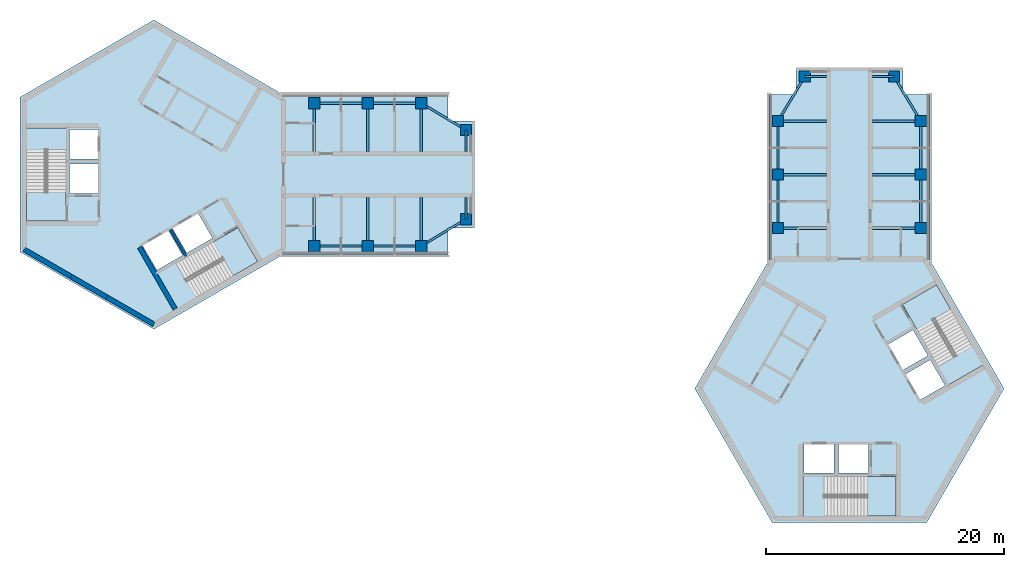
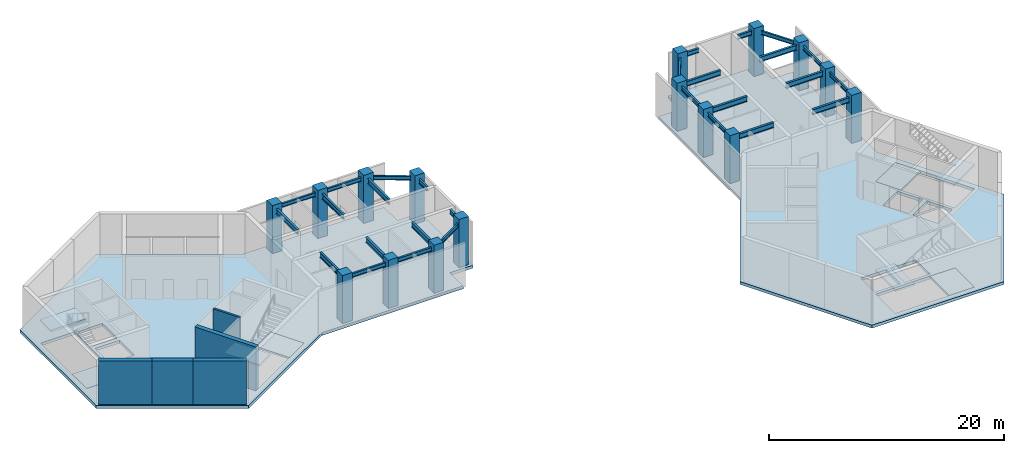
# One storey, part 1 of 8: 28 beams, 16 columns, 10 slabs, 5 walls, 4 elements without a shape of their own.
"""IFC4 building model written with IfcOpenShell, lengths in metres."""

from ifc_helpers import new_model, si_unit, direction, frame, frame_2d, origin, origin_2d, place, context, subcontext, project, spatial, polyline, rectangle, i_section, outline, extrude, material, layer, layer_set, material_profile, profile_set, type_object, element, aggregate, save


model = new_model("IFC4")

# Units and contexts
model_context = context("Model", 3, precision=1e-05, world=origin(), true_north=direction((0.0, 1.0)))
body_context = subcontext(model_context, "Body", "Model", "MODEL_VIEW")
ifc_project = project(units=[si_unit("LENGTHUNIT", "METRE"), si_unit("AREAUNIT", "SQUARE_METRE"), si_unit("VOLUMEUNIT", "CUBIC_METRE"), si_unit("PLANEANGLEUNIT", "RADIAN"), si_unit("MASSUNIT", "GRAM", prefix="KILO")], contexts=[model_context])

# Site, building, storey
site_placement = place(None, origin())
site = spatial("IfcSite", under=ifc_project, at=site_placement, CompositionType="ELEMENT")
building_placement = place(site_placement, origin())
building = spatial("IfcBuilding", under=site, at=building_placement, Name="Upepo Twin Towers", CompositionType="ELEMENT")
storey_placement = place(building_placement, frame((0.0, 0.0, 291.5)))
storey = spatial("IfcBuildingStorey", under=building, at=storey_placement, Name="L71", CompositionType="ELEMENT", Elevation=291.5)

# Columns
ifc_material_1 = material(Name="Concrete C60/75", Category="concrete")
ifc_material_profile_1 = material_profile(ifc_material_1, rectangle(XDim=0.949951171875, YDim=0.949951171875, at=origin_2d()), Name="RC 950x950")
ifc_profile_set_1 = profile_set([ifc_material_profile_1], Name="Concrete C60/75")
column_type = type_object("IfcColumnType", Name="Tower column RC 950x950", PredefinedType="COLUMN", material=ifc_profile_set_1)
for number, where, z_axis, x_axis, name in (
    (1, (13.5, 6.0, 0.0), (0.0, 0.0, 1.0), (1.0, 0.0, 0.0), "T1 column AL135"),
    (2, (13.5, -6.0, 0.0), (0.0, 0.0, 1.0), (1.0, 0.0, 0.0), "T1 column AR135"),
    (3, (18.0, 6.0, 0.0), (0.0, 0.0, 1.0), (1.0, 0.0, 0.0), "T1 column AL180"),
    (4, (18.0, -6.0, 0.0), (0.0, 0.0, 1.0), (1.0, 0.0, 0.0), "T1 column AR180"),
    (5, (22.5, 6.0, 0.0), (0.0, 0.0, 1.0), (1.0, 0.0, 0.0), "T1 column AL225"),
    (6, (22.5, -6.0, 0.0), (0.0, 0.0, 1.0), (1.0, 0.0, 0.0), "T1 column AR225"),
    (7, (26.25, 3.75, 0.0), (0.0, 0.0, 1.0), (1.0, 0.0, 0.0), "T1 column ALN"),
    (8, (26.25, -3.75, 0.0), (0.0, 0.0, 1.0), (1.0, 0.0, 0.0), "T1 column ARN"),
    (9, (52.5, -4.5, 0.0), (0.0, 0.0, 1.0), (1.0, 0.0, 0.0), "T2 column AL135"),
    (10, (64.5, -4.5, 0.0), (0.0, 0.0, 1.0), (1.0, 0.0, 0.0), "T2 column AR135"),
    (11, (52.5, 0.0, 0.0), (0.0, 0.0, 1.0), (1.0, 0.0, 0.0), "T2 column AL180"),
    (12, (64.5, 0.0, 0.0), (0.0, 0.0, 1.0), (1.0, 0.0, 0.0), "T2 column AR180"),
    (13, (52.5, 4.5, 0.0), (0.0, 0.0, 1.0), (1.0, 0.0, 0.0), "T2 column AL225"),
    (14, (64.5, 4.5, 0.0), (0.0, 0.0, 1.0), (1.0, 0.0, 0.0), "T2 column AR225"),
    (15, (54.75, 8.25, 0.0), (0.0, 0.0, 1.0), (1.0, 0.0, 0.0), "T2 column ALN"),
    (16, (62.25, 8.25, 0.0), (0.0, 0.0, 1.0), (1.0, 0.0, 0.0), "T2 column ARN"),
):
    element("IfcColumn", number, at=place(storey_placement, frame(where, z_axis=z_axis, x_axis=x_axis)), inside=storey, type_object=column_type, Name=name, PredefinedType="COLUMN", context=body_context, shape_type="SweptSolid", body=[
        extrude(rectangle(XDim=0.949951171875, YDim=0.949951171875, at=origin_2d()), origin(), (0.0, 0.0, 1.0), 5.0),
    ])

# Beams
ifc_material_2 = material(Name="Steel S355", Category="steel")
ifc_material_profile_2 = material_profile(ifc_material_2, i_section(OverallWidth=0.177978515625, OverallDepth=0.406494140625, WebThickness=0.0078125, FlangeThickness=0.0126953125, FilletRadius=0.01025390625, at=origin_2d()), Name="UB 406x178x60")
ifc_profile_set_2 = profile_set([ifc_material_profile_2], Name="Steel S355")
beam_type_1 = type_object("IfcBeamType", Name="Beam UB 406x178x60", PredefinedType="BEAM", material=ifc_profile_set_2)
for number, where, z_axis, x_axis, name in (
    (17, (13.5, 6.0, 4.3466796875), (1.0, 0.0, 0.0), (0.0, 1.0, 0.0), "T1 edge beam AL 13.5-18.0"),
    (18, (18.0, 6.0, 4.3466796875), (1.0, 0.0, 0.0), (0.0, 1.0, 0.0), "T1 edge beam AL 18.0-22.5"),
):
    element("IfcBeam", number, at=place(storey_placement, frame(where, z_axis=z_axis, x_axis=x_axis)), inside=storey, type_object=beam_type_1, Name=name, PredefinedType="BEAM", context=body_context, shape_type="SweptSolid", body=[
        extrude(i_section(OverallWidth=0.177978515625, OverallDepth=0.406494140625, WebThickness=0.0078125, FlangeThickness=0.0126953125, FilletRadius=0.01025390625, at=origin_2d()), origin(), (0.0, 0.0, 1.0), 4.5),
    ])
beam_1_placement = place(storey_placement, frame((22.5, 6.0, 4.3466796875), z_axis=(0.857492925713, -0.514495755428, 0.0), x_axis=(0.514495755428, 0.857492925713, 0.0)))
element("IfcBeam", 19, at=beam_1_placement, inside=storey, type_object=beam_type_1, Name="T1 nose edge beam AL", PredefinedType="BEAM", context=body_context, shape_type="SweptSolid", body=[
    extrude(i_section(OverallWidth=0.177978515625, OverallDepth=0.406494140625, WebThickness=0.0078125, FlangeThickness=0.0126953125, FilletRadius=0.01025390625, at=origin_2d()), origin(), (0.0, 0.0, 1.0), 4.373291015625),
])
for number, where, z_axis, x_axis, name in (
    (20, (13.5, -6.0, 4.3466796875), (1.0, 0.0, 0.0), (0.0, 1.0, 0.0), "T1 edge beam AR 13.5-18.0"),
    (21, (18.0, -6.0, 4.3466796875), (1.0, 0.0, 0.0), (0.0, 1.0, 0.0), "T1 edge beam AR 18.0-22.5"),
):
    element("IfcBeam", number, at=place(storey_placement, frame(where, z_axis=z_axis, x_axis=x_axis)), inside=storey, type_object=beam_type_1, Name=name, PredefinedType="BEAM", context=body_context, shape_type="SweptSolid", body=[
        extrude(i_section(OverallWidth=0.177978515625, OverallDepth=0.406494140625, WebThickness=0.0078125, FlangeThickness=0.0126953125, FilletRadius=0.01025390625, at=origin_2d()), origin(), (0.0, 0.0, 1.0), 4.5),
    ])
beam_2_placement = place(storey_placement, frame((22.5, -6.0, 4.3466796875), z_axis=(0.857492925713, 0.514495755428, 0.0), x_axis=(-0.514495755428, 0.857492925713, 0.0)))
element("IfcBeam", 22, at=beam_2_placement, inside=storey, type_object=beam_type_1, Name="T1 nose edge beam AR", PredefinedType="BEAM", context=body_context, shape_type="SweptSolid", body=[
    extrude(i_section(OverallWidth=0.177978515625, OverallDepth=0.406494140625, WebThickness=0.0078125, FlangeThickness=0.0126953125, FilletRadius=0.01025390625, at=origin_2d()), origin(), (0.0, 0.0, 1.0), 4.373291015625),
])
for number, where, z_axis, x_axis, name in (
    (23, (52.5, -4.5, 4.3466796875), (0.0, 1.0, 0.0), (-1.0, 0.0, 0.0), "T2 edge beam AL 13.5-18.0"),
    (24, (52.5, 0.0, 4.3466796875), (0.0, 1.0, 0.0), (-1.0, 0.0, 0.0), "T2 edge beam AL 18.0-22.5"),
):
    element("IfcBeam", number, at=place(storey_placement, frame(where, z_axis=z_axis, x_axis=x_axis)), inside=storey, type_object=beam_type_1, Name=name, PredefinedType="BEAM", context=body_context, shape_type="SweptSolid", body=[
        extrude(i_section(OverallWidth=0.177978515625, OverallDepth=0.406494140625, WebThickness=0.0078125, FlangeThickness=0.0126953125, FilletRadius=0.01025390625, at=origin_2d()), origin(), (0.0, 0.0, 1.0), 4.5),
    ])
beam_3_placement = place(storey_placement, frame((52.5, 4.5, 4.3466796875), z_axis=(0.514495755428, 0.857492925713, 0.0), x_axis=(-0.857492925713, 0.514495755428, 0.0)))
element("IfcBeam", 25, at=beam_3_placement, inside=storey, type_object=beam_type_1, Name="T2 nose edge beam AL", PredefinedType="BEAM", context=body_context, shape_type="SweptSolid", body=[
    extrude(i_section(OverallWidth=0.177978515625, OverallDepth=0.406494140625, WebThickness=0.0078125, FlangeThickness=0.0126953125, FilletRadius=0.01025390625, at=origin_2d()), origin(), (0.0, 0.0, 1.0), 4.373291015625),
])
for number, where, z_axis, x_axis, name in (
    (26, (64.5, -4.5, 4.3466796875), (0.0, 1.0, 0.0), (-1.0, 0.0, 0.0), "T2 edge beam AR 13.5-18.0"),
    (27, (64.5, 0.0, 4.3466796875), (0.0, 1.0, 0.0), (-1.0, 0.0, 0.0), "T2 edge beam AR 18.0-22.5"),
):
    element("IfcBeam", number, at=place(storey_placement, frame(where, z_axis=z_axis, x_axis=x_axis)), inside=storey, type_object=beam_type_1, Name=name, PredefinedType="BEAM", context=body_context, shape_type="SweptSolid", body=[
        extrude(i_section(OverallWidth=0.177978515625, OverallDepth=0.406494140625, WebThickness=0.0078125, FlangeThickness=0.0126953125, FilletRadius=0.01025390625, at=origin_2d()), origin(), (0.0, 0.0, 1.0), 4.5),
    ])
beam_4_placement = place(storey_placement, frame((64.5, 4.5, 4.3466796875), z_axis=(-0.514495755428, 0.857492925713, 0.0), x_axis=(-0.857492925713, -0.514495755428, 0.0)))
element("IfcBeam", 28, at=beam_4_placement, inside=storey, type_object=beam_type_1, Name="T2 nose edge beam AR", PredefinedType="BEAM", context=body_context, shape_type="SweptSolid", body=[
    extrude(i_section(OverallWidth=0.177978515625, OverallDepth=0.406494140625, WebThickness=0.0078125, FlangeThickness=0.0126953125, FilletRadius=0.01025390625, at=origin_2d()), origin(), (0.0, 0.0, 1.0), 4.373291015625),
])
ifc_material_3 = material(Name="Steel S355", Category="steel")
ifc_material_profile_3 = material_profile(ifc_material_3, i_section(OverallWidth=0.19140625, OverallDepth=0.4599609375, WebThickness=0.010009765625, FlangeThickness=0.01611328125, FilletRadius=0.01025390625, at=origin_2d()), Name="UB 457x191x82")
ifc_profile_set_3 = profile_set([ifc_material_profile_3], Name="Steel S355")
beam_type_2 = type_object("IfcBeamType", Name="Beam UB 457x191x82", PredefinedType="BEAM", material=ifc_profile_set_3)
for number, where, z_axis, x_axis, name in (
    (29, (26.25, 3.75, 4.320068359375), (0.0, -1.0, 0.0), (1.0, 0.0, 0.0), "T1 nose beam AL"),
    (30, (26.25, -3.75, 4.320068359375), (0.0, 1.0, 0.0), (-1.0, 0.0, 0.0), "T1 nose beam AR"),
    (31, (54.75, 8.25, 4.320068359375), (1.0, 0.0, 0.0), (0.0, 1.0, 0.0), "T2 nose beam AL"),
    (32, (62.25, 8.25, 4.320068359375), (-1.0, 0.0, 0.0), (0.0, -1.0, 0.0), "T2 nose beam AR"),
):
    element("IfcBeam", number, at=place(storey_placement, frame(where, z_axis=z_axis, x_axis=x_axis)), inside=storey, type_object=beam_type_2, Name=name, PredefinedType="BEAM", context=body_context, shape_type="SweptSolid", body=[
        extrude(i_section(OverallWidth=0.19140625, OverallDepth=0.4599609375, WebThickness=0.010009765625, FlangeThickness=0.01611328125, FilletRadius=0.01025390625, at=origin_2d()), origin(), (0.0, 0.0, 1.0), 1.824951171875),
    ])
ifc_material_4 = material(Name="Steel S355", Category="steel")
ifc_material_profile_4 = material_profile(ifc_material_4, i_section(OverallWidth=0.209228515625, OverallDepth=0.533203125, WebThickness=0.010009765625, FlangeThickness=0.015625, FilletRadius=0.0126953125, at=origin_2d()), Name="UB 533x210x92")
ifc_profile_set_4 = profile_set([ifc_material_profile_4], Name="Steel S355")
beam_type_3 = type_object("IfcBeamType", Name="Beam UB 533x210x92", PredefinedType="BEAM", material=ifc_profile_set_4)
for number, where, z_axis, x_axis, name in (
    (33, (13.5, 6.0, 4.283447265625), (0.0, -1.0, 0.0), (1.0, 0.0, 0.0), "T1 girder AL at 13.5"),
    (34, (18.0, 6.0, 4.283447265625), (0.0, -1.0, 0.0), (1.0, 0.0, 0.0), "T1 girder AL at 18.0"),
    (35, (22.5, 6.0, 4.283447265625), (0.0, -1.0, 0.0), (1.0, 0.0, 0.0), "T1 girder AL at 22.5"),
    (36, (13.5, -6.0, 4.283447265625), (0.0, 1.0, 0.0), (-1.0, 0.0, 0.0), "T1 girder AR at 13.5"),
    (37, (18.0, -6.0, 4.283447265625), (0.0, 1.0, 0.0), (-1.0, 0.0, 0.0), "T1 girder AR at 18.0"),
    (38, (22.5, -6.0, 4.283447265625), (0.0, 1.0, 0.0), (-1.0, 0.0, 0.0), "T1 girder AR at 22.5"),
    (39, (52.5, -4.5, 4.283447265625), (1.0, 0.0, 0.0), (0.0, 1.0, 0.0), "T2 girder AL at 13.5"),
    (40, (52.5, 0.0, 4.283447265625), (1.0, 0.0, 0.0), (0.0, 1.0, 0.0), "T2 girder AL at 18.0"),
    (41, (52.5, 4.5, 4.283447265625), (1.0, 0.0, 0.0), (0.0, 1.0, 0.0), "T2 girder AL at 22.5"),
    (42, (64.5, -4.5, 4.283447265625), (-1.0, 0.0, 0.0), (0.0, -1.0, 0.0), "T2 girder AR at 13.5"),
    (43, (64.5, 0.0, 4.283447265625), (-1.0, 0.0, 0.0), (0.0, -1.0, 0.0), "T2 girder AR at 18.0"),
    (44, (64.5, 4.5, 4.283447265625), (-1.0, 0.0, 0.0), (0.0, -1.0, 0.0), "T2 girder AR at 22.5"),
):
    element("IfcBeam", number, at=place(storey_placement, frame(where, z_axis=z_axis, x_axis=x_axis)), inside=storey, type_object=beam_type_3, Name=name, PredefinedType="BEAM", context=body_context, shape_type="SweptSolid", body=[
        extrude(i_section(OverallWidth=0.209228515625, OverallDepth=0.533203125, WebThickness=0.010009765625, FlangeThickness=0.015625, FilletRadius=0.0126953125, at=origin_2d()), origin(), (0.0, 0.0, 1.0), 4.074951171875),
    ])

# Slabs
ifc_material_5 = material(Name="Concrete C40/50", Category="concrete")
ifc_layer_1 = layer(ifc_material_5, 0.300048828125)
ifc_layer_set_1 = layer_set([ifc_layer_1], Name="Concrete C40/50")
slab_type_1 = type_object("IfcSlabType", Name="Refuge and plant floor slab 300 RC", PredefinedType="FLOOR", material=ifc_layer_set_1)
slab_1_placement = place(storey_placement, frame((0.0, 0.0, -0.300048828125)))
element("IfcSlab", 45, at=slab_1_placement, inside=storey, type_object=slab_type_1, Name="T1 L71 floor slab", PredefinedType="FLOOR", context=body_context, shape_type="SweptSolid", body=[
    extrude(outline(polyline([(0.0, -13.0), (-11.25830078125, -6.5), (-11.25830078125, 6.5), (0.0, 13.0), (10.825439453125, 6.75), (24.75, 6.75), (24.75, 4.5), (27.0, 4.5), (27.0, -4.5), (24.75, -4.5), (24.75, -6.75), (10.825439453125, -6.75), (0.0, -13.0)]), holes=[polyline([(-4.699951171875, 3.800048828125), (-7.10009765625, 3.800048828125), (-7.10009765625, 1.300048828125), (-4.699951171875, 1.300048828125), (-4.699951171875, 3.800048828125)]), polyline([(-4.699951171875, 0.89990234375), (-7.10009765625, 0.89990234375), (-7.10009765625, -1.60009765625), (-4.699951171875, -1.60009765625), (-4.699951171875, 0.89990234375)]), polyline([(-7.39990234375, 3.89990234375), (-10.708251953125, 3.89990234375), (-10.708251953125, -3.89990234375), (-7.39990234375, -3.89990234375), (-7.39990234375, 3.89990234375)]), polyline([(-0.94091796875, -5.97021484375), (0.259033203125, -8.048828125), (2.424072265625, -6.798828125), (1.22412109375, -4.72021484375), (-0.94091796875, -5.97021484375)]), polyline([(1.570556640625, -4.520263671875), (2.7705078125, -6.598876953125), (4.935546875, -5.348876953125), (3.735595703125, -3.270263671875), (1.570556640625, -4.520263671875)]), polyline([(0.322509765625, -8.358642578125), (1.9765625, -11.2236328125), (8.731689453125, -7.32373046875), (7.077392578125, -4.45849609375), (0.322509765625, -8.358642578125)])]), origin(), (0.0, 0.0, 1.0), 0.300048828125),
])
slab_2_placement = place(storey_placement, frame((0.0, 0.0, -0.300048828125)))
element("IfcSlab", 46, at=slab_2_placement, inside=storey, type_object=slab_type_1, Name="T2 L71 floor slab", PredefinedType="FLOOR", context=body_context, shape_type="SweptSolid", body=[
    extrude(outline(polyline([(71.5, -18.0), (65.0, -29.25830078125), (52.0, -29.25830078125), (45.5, -18.0), (51.75, -7.174560546875), (51.75, 6.75), (54.0, 6.75), (54.0, 9.0), (63.0, 9.0), (63.0, 6.75), (65.25, 6.75), (65.25, -7.174560546875), (71.5, -18.0)]), holes=[polyline([(54.699951171875, -22.699951171875), (54.699951171875, -25.10009765625), (57.199951171875, -25.10009765625), (57.199951171875, -22.699951171875), (54.699951171875, -22.699951171875)]), polyline([(57.60009765625, -22.699951171875), (57.60009765625, -25.10009765625), (60.10009765625, -25.10009765625), (60.10009765625, -22.699951171875), (57.60009765625, -22.699951171875)]), polyline([(54.60009765625, -25.39990234375), (54.60009765625, -28.708251953125), (62.39990234375, -28.708251953125), (62.39990234375, -25.39990234375), (54.60009765625, -25.39990234375)]), polyline([(64.47021484375, -18.94091796875), (66.548828125, -17.740966796875), (65.298828125, -15.575927734375), (63.22021484375, -16.77587890625), (64.47021484375, -18.94091796875)]), polyline([(63.020263671875, -16.429443359375), (65.098876953125, -15.2294921875), (63.848876953125, -13.064453125), (61.770263671875, -14.264404296875), (63.020263671875, -16.429443359375)]), polyline([(66.858642578125, -17.677490234375), (69.7236328125, -16.0234375), (65.82373046875, -9.268310546875), (62.95849609375, -10.922607421875), (66.858642578125, -17.677490234375)])]), origin(), (0.0, 0.0, 1.0), 0.300048828125),
])

# Stair, slabs
ifc_material_6 = material(Name="Concrete C40/50", Category="concrete")
stair_type = type_object("IfcStairType", Name="Core stair, two flights", PredefinedType="HALF_TURN_STAIR", material=ifc_material_6)
stair_1_placement = place(storey_placement, origin())
stair_1 = element("IfcStair", 47, at=stair_1_placement, inside=storey, type_object=stair_type, Name="T1 stair S1 L71", PredefinedType="HALF_TURN_STAIR")
ifc_material_7 = material(Name="Concrete C40/50", Category="concrete")
ifc_layer_2 = layer(ifc_material_7, 0.199951171875)
ifc_layer_set_2 = layer_set([ifc_layer_2], Name="Concrete C40/50")
slab_type_2 = type_object("IfcSlabType", Name="Stair landing 200 RC", PredefinedType="LANDING", material=ifc_layer_set_2)
slab_3_placement = place(storey_placement, frame((0.0, 0.0, -0.199951171875)))
slab_3 = element("IfcSlab", 48, at=slab_3_placement, type_object=slab_type_2, Name="Stair S1 landing 1", PredefinedType="LANDING", context=body_context, shape_type="SweptSolid", body=[
    extrude(outline(polyline([(-7.39990234375, -1.419921875), (-10.708251953125, -1.419921875), (-10.708251953125, -3.89990234375), (-7.39990234375, -3.89990234375), (-7.39990234375, -1.419921875)])), origin(), (0.0, 0.0, 1.0), 0.199951171875),
])
slab_4_placement = place(storey_placement, frame((0.0, 0.0, 2.300048828125)))
slab_4 = element("IfcSlab", 49, at=slab_4_placement, type_object=slab_type_2, Name="Stair S1 landing 2", PredefinedType="LANDING", context=body_context, shape_type="SweptSolid", body=[
    extrude(outline(polyline([(-7.300048828125, 3.89990234375), (-10.808349609375, 3.89990234375), (-10.808349609375, 2.02001953125), (-7.300048828125, 2.02001953125), (-7.300048828125, 3.89990234375)])), origin(), (0.0, 0.0, 1.0), 0.199951171875),
])
aggregate(stair_1, [slab_3, slab_4])

stair_2_placement = place(storey_placement, origin())
stair_2 = element("IfcStair", 50, at=stair_2_placement, inside=storey, type_object=stair_type, Name="T1 stair S2 L71", PredefinedType="HALF_TURN_STAIR")
slab_5_placement = place(storey_placement, frame((0.0, 0.0, -0.199951171875)))
slab_5 = element("IfcSlab", 51, at=slab_5_placement, type_object=slab_type_2, Name="Stair S2 landing 1", PredefinedType="LANDING", context=body_context, shape_type="SweptSolid", body=[
    extrude(outline(polyline([(4.9296875, -5.698486328125), (6.583984375, -8.563720703125), (8.731689453125, -7.32373046875), (7.077392578125, -4.45849609375), (4.9296875, -5.698486328125)])), origin(), (0.0, 0.0, 1.0), 0.199951171875),
])
slab_6_placement = place(storey_placement, frame((0.0, 0.0, 2.300048828125)))
slab_6 = element("IfcSlab", 52, at=slab_6_placement, type_object=slab_type_2, Name="Stair S2 landing 2", PredefinedType="LANDING", context=body_context, shape_type="SweptSolid", body=[
    extrude(outline(polyline([(0.2724609375, -8.27197265625), (2.026611328125, -11.310302734375), (3.65478515625, -10.370361328125), (1.900634765625, -7.33203125), (0.2724609375, -8.27197265625)])), origin(), (0.0, 0.0, 1.0), 0.199951171875),
])
aggregate(stair_2, [slab_5, slab_6])

stair_3_placement = place(storey_placement, origin())
stair_3 = element("IfcStair", 53, at=stair_3_placement, inside=storey, type_object=stair_type, Name="T2 stair S1 L71", PredefinedType="HALF_TURN_STAIR")
slab_7_placement = place(storey_placement, frame((0.0, 0.0, -0.199951171875)))
slab_7 = element("IfcSlab", 54, at=slab_7_placement, type_object=slab_type_2, Name="Stair S1 landing 1", PredefinedType="LANDING", context=body_context, shape_type="SweptSolid", body=[
    extrude(outline(polyline([(59.919921875, -25.39990234375), (59.919921875, -28.708251953125), (62.39990234375, -28.708251953125), (62.39990234375, -25.39990234375), (59.919921875, -25.39990234375)])), origin(), (0.0, 0.0, 1.0), 0.199951171875),
])
slab_8_placement = place(storey_placement, frame((0.0, 0.0, 2.300048828125)))
slab_8 = element("IfcSlab", 55, at=slab_8_placement, type_object=slab_type_2, Name="Stair S1 landing 2", PredefinedType="LANDING", context=body_context, shape_type="SweptSolid", body=[
    extrude(outline(polyline([(54.60009765625, -25.300048828125), (54.60009765625, -28.808349609375), (56.47998046875, -28.808349609375), (56.47998046875, -25.300048828125), (54.60009765625, -25.300048828125)])), origin(), (0.0, 0.0, 1.0), 0.199951171875),
])
aggregate(stair_3, [slab_7, slab_8])

stair_4_placement = place(storey_placement, origin())
stair_4 = element("IfcStair", 56, at=stair_4_placement, inside=storey, type_object=stair_type, Name="T2 stair S2 L71", PredefinedType="HALF_TURN_STAIR")
slab_9_placement = place(storey_placement, frame((0.0, 0.0, -0.199951171875)))
slab_9 = element("IfcSlab", 57, at=slab_9_placement, type_object=slab_type_2, Name="Stair S2 landing 1", PredefinedType="LANDING", context=body_context, shape_type="SweptSolid", body=[
    extrude(outline(polyline([(64.198486328125, -13.0703125), (67.063720703125, -11.416015625), (65.82373046875, -9.268310546875), (62.95849609375, -10.922607421875), (64.198486328125, -13.0703125)])), origin(), (0.0, 0.0, 1.0), 0.199951171875),
])
slab_10_placement = place(storey_placement, frame((0.0, 0.0, 2.300048828125)))
slab_10 = element("IfcSlab", 58, at=slab_10_placement, type_object=slab_type_2, Name="Stair S2 landing 2", PredefinedType="LANDING", context=body_context, shape_type="SweptSolid", body=[
    extrude(outline(polyline([(66.77197265625, -17.7275390625), (69.810302734375, -15.973388671875), (68.870361328125, -14.34521484375), (65.83203125, -16.099365234375), (66.77197265625, -17.7275390625)])), origin(), (0.0, 0.0, 1.0), 0.199951171875),
])
aggregate(stair_4, [slab_9, slab_10])

# Walls
ifc_material_8 = material(Name="Concrete C60/75", Category="concrete")
ifc_layer_3 = layer(ifc_material_8, 0.39990234375)
ifc_layer_set_3 = layer_set([ifc_layer_3], Name="Concrete C60/75")
wall_type_1 = type_object("IfcWallType", Name="Core wall 400 RC", PredefinedType="SHEAR", material=ifc_layer_set_3)
wall_1_placement = place(storey_placement, frame((-10.908447265625, -6.2978515625, 0.0), z_axis=(0.0, 0.0, 1.0), x_axis=(0.866034513004, -0.499984222037, 0.0)))
element("IfcWall", 59, at=wall_1_placement, inside=storey, type_object=wall_type_1, Name="T1 core wall 240 R", PredefinedType="SHEAR", context=body_context, shape_type="SweptSolid", body=[
    extrude(rectangle(XDim=4.548095703125, YDim=0.39990234375, at=frame_2d((2.27392578125, 0.0))), origin(), (0.0, 0.0, 1.0), 4.550048828125),
])
wall_2_placement = place(storey_placement, frame((-6.9697265625, -8.57177734375, 0.0), z_axis=(0.0, 0.0, 1.0), x_axis=(0.866019471182, -0.500010275428, 0.0)))
element("IfcWall", 60, at=wall_2_placement, inside=storey, type_object=wall_type_1, Name="T1 core wall 240", PredefinedType="SHEAR", context=body_context, shape_type="SweptSolid", body=[
    extrude(rectangle(XDim=3.5, YDim=0.39990234375, at=frame_2d((1.75, 0.0))), origin(), (0.0, 0.0, 1.0), 4.550048828125),
])
wall_3_placement = place(storey_placement, frame((-3.938720703125, -10.32177734375, 0.0), z_axis=(0.0, 0.0, 1.0), x_axis=(0.866011268655, -0.500024481964, 0.0)))
element("IfcWall", 61, at=wall_3_placement, inside=storey, type_object=wall_type_1, Name="T1 core wall 240 L", PredefinedType="SHEAR", context=body_context, shape_type="SweptSolid", body=[
    extrude(rectangle(XDim=4.548095703125, YDim=0.39990234375, at=frame_2d((2.27392578125, 0.0))), origin(), (0.0, 0.0, 1.0), 4.550048828125),
])
ifc_material_9 = material(Name="Concrete C40/50", Category="concrete")
ifc_layer_4 = layer(ifc_material_9, 0.199951171875)
ifc_layer_set_4 = layer_set([ifc_layer_4], Name="Concrete C40/50")
wall_type_2 = type_object("IfcWallType", Name="Shaft wall 200 RC", PredefinedType="SHEAR", material=ifc_layer_set_4)
wall_4_placement = place(storey_placement, frame((1.3974609375, -4.620361328125, 0.0), z_axis=(0.0, 0.0, 1.0), x_axis=(0.499936506574, -0.866062058628, 0.0)))
element("IfcWall", 62, at=wall_4_placement, inside=storey, type_object=wall_type_2, Name="T1 core W300 shaft divider", PredefinedType="SHEAR", context=body_context, shape_type="SweptSolid", body=[
    extrude(rectangle(XDim=2.599853515625, YDim=0.199951171875, at=frame_2d((1.2998046875, 0.0))), origin(), (0.0, 0.0, 1.0), 4.550048828125),
])
ifc_material_10 = material(Name="Concrete C40/50", Category="concrete")
ifc_layer_5 = layer(ifc_material_10, 0.39990234375)
ifc_layer_set_5 = layer_set([ifc_layer_5], Name="Concrete C40/50")
wall_type_3 = type_object("IfcWallType", Name="Shaft wall 400 RC", PredefinedType="SHEAR", material=ifc_layer_set_5)
wall_5_placement = place(storey_placement, frame((-1.20068359375, -6.120361328125, 0.0), z_axis=(0.0, 0.0, 1.0), x_axis=(0.499997979876, -0.866026570101, 0.0)))
element("IfcWall", 63, at=wall_5_placement, inside=storey, type_object=wall_type_3, Name="T1 core W300 side wall S", PredefinedType="SHEAR", context=body_context, shape_type="SweptSolid", body=[
    extrude(rectangle(XDim=6.00830078125, YDim=0.39990234375, at=frame_2d((3.004150390625, 0.0))), origin(), (0.0, 0.0, 1.0), 4.550048828125),
])

save(model, "model.ifc")
